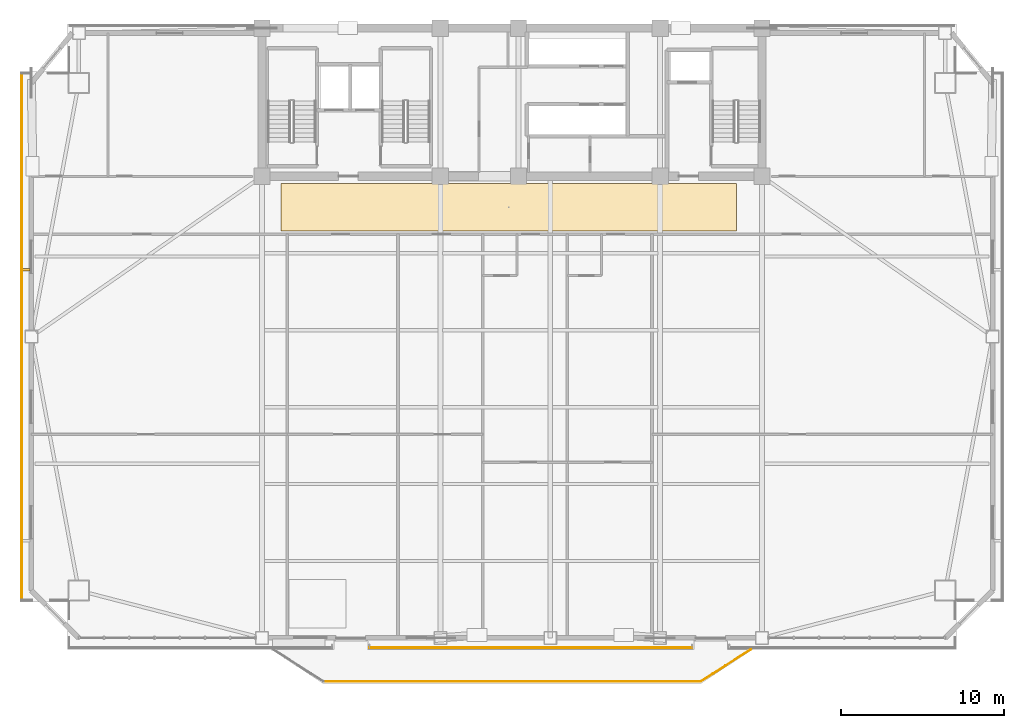
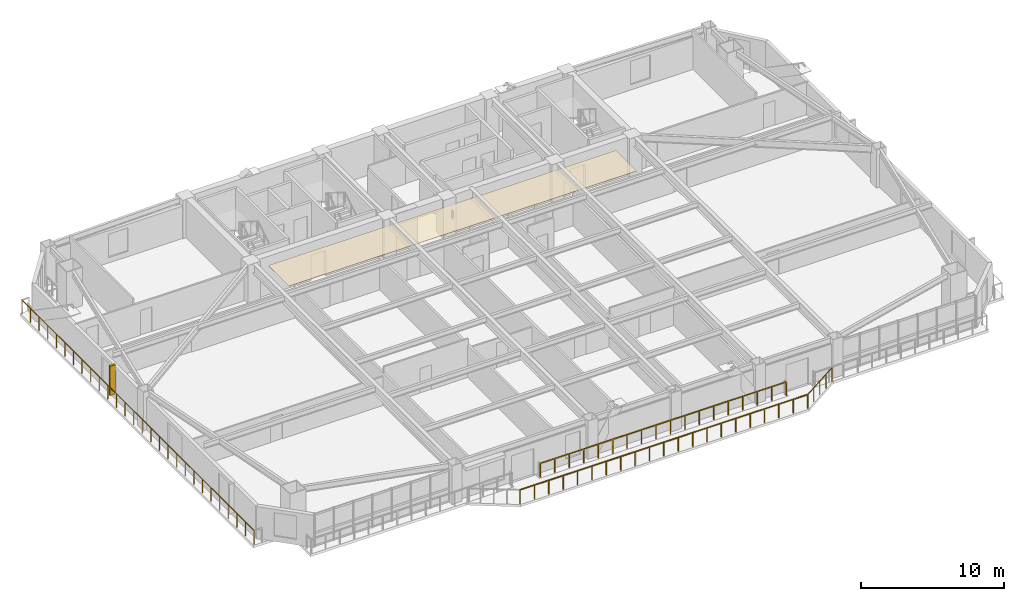
# One storey, part 13 of 16: 4 railings, 1 covering, 1 shading device.
"""IFC4 building model written with IfcOpenShell, lengths in metres."""

from ifc_helpers import new_model, si_unit, direction, frame, origin, origin_2d, place, context, subcontext, project, spatial, polyline, rectangle, outline, extrude, source, transform, mapped, material, layer, layer_set, type_object, element, save


model = new_model("IFC4")

# Units and contexts
model_context = context("Model", 3, precision=1e-05, world=origin(), true_north=direction((0.0, 1.0)))
body_context = subcontext(model_context, "Body", "Model", "MODEL_VIEW")
ifc_project = project(units=[si_unit("LENGTHUNIT", "METRE"), si_unit("AREAUNIT", "SQUARE_METRE"), si_unit("VOLUMEUNIT", "CUBIC_METRE"), si_unit("PLANEANGLEUNIT", "RADIAN"), si_unit("MASSUNIT", "GRAM", prefix="KILO")], contexts=[model_context])

# Site, building, storey
site_placement = place(None, origin())
site = spatial("IfcSite", under=ifc_project, at=site_placement, CompositionType="ELEMENT")
building_placement = place(site_placement, origin())
building = spatial("IfcBuilding", under=site, at=building_placement, Name="Giltprow Tower", CompositionType="ELEMENT")
storey_placement = place(building_placement, frame((0.0, 0.0, 159.699951171875)))
storey = spatial("IfcBuildingStorey", under=building, at=storey_placement, Name="L39", CompositionType="ELEMENT", Elevation=159.699951171875)

# Covering
ifc_material_1 = material(Name="Painted gypsum board", Category="gypsum")
ifc_layer = layer(ifc_material_1, 0.030029296875, Name="Painted gypsum board")
ifc_layer_set = layer_set([ifc_layer], Name="Painted gypsum board")
covering_type = type_object("IfcCoveringType", Name="COV-CLG-GYPSUM", PredefinedType="CEILING", material=ifc_layer_set)
covering_placement = place(storey_placement, frame((0.0, 0.0, 2.6201171875)))
element("IfcCovering", 1, at=covering_placement, inside=storey, type_object=covering_type, Name="L39 Hotel Corridor Gypsum Ceiling", PredefinedType="CEILING", context=body_context, shape_type="SweptSolid", body=[
    extrude(outline(polyline([(21.0, 34.10009765625), (49.0, 34.10009765625), (49.0, 37.0), (21.0, 37.0), (21.0, 34.10009765625)])), origin(), (0.0, 0.0, 1.0), 0.030029296875),
])

# Railings
ifc_material_2 = material(Name="Anodized bronze", Category="metal")
railing_type = type_object("IfcRailingType", Name="RAIL-BALC-GUARD-1200", PredefinedType="BALUSTRADE", material=ifc_material_2)
railing_1_placement = place(storey_placement, frame((23.6201171875, 6.41796875, 0.0)))
element("IfcRailing", 2, at=railing_1_placement, inside=storey, type_object=railing_type, Name="L39 Waterfront Balcony Balustrade Seg 2", PredefinedType="BALUSTRADE", context=body_context, shape_type="SweptSolid", body=[
    extrude(rectangle(XDim=0.048095703125, YDim=0.048095703125, at=origin_2d()), frame((0.0, 0.0, 1.17578125), z_axis=(1.0, 0.0, 0.0), x_axis=(0.0, 1.0, 0.0)), (0.0, 0.0, 1.0), 23.159912109375),
    extrude(rectangle(XDim=0.0419921875, YDim=0.0419921875, at=origin_2d()), origin(), (0.0, 0.0, 1.0), 1.15185546875),
    extrude(rectangle(XDim=0.0419921875, YDim=0.0419921875, at=origin_2d()), frame((1.157958984375, 0.0, 0.0)), (0.0, 0.0, 1.0), 1.15185546875),
    extrude(rectangle(XDim=0.0419921875, YDim=0.0419921875, at=origin_2d()), frame((2.31591796875, 0.0, 0.0)), (0.0, 0.0, 1.0), 1.15185546875),
    extrude(rectangle(XDim=0.0419921875, YDim=0.0419921875, at=origin_2d()), frame((3.473876953125, 0.0, 0.0)), (0.0, 0.0, 1.0), 1.15185546875),
    extrude(rectangle(XDim=0.0419921875, YDim=0.0419921875, at=origin_2d()), frame((4.632080078125, 0.0, 0.0)), (0.0, 0.0, 1.0), 1.15185546875),
    extrude(rectangle(XDim=0.0419921875, YDim=0.0419921875, at=origin_2d()), frame((5.7900390625, 0.0, 0.0)), (0.0, 0.0, 1.0), 1.15185546875),
    extrude(rectangle(XDim=0.0419921875, YDim=0.0419921875, at=origin_2d()), frame((6.947998046875, 0.0, 0.0)), (0.0, 0.0, 1.0), 1.15185546875),
    extrude(rectangle(XDim=0.0419921875, YDim=0.0419921875, at=origin_2d()), frame((8.10595703125, 0.0, 0.0)), (0.0, 0.0, 1.0), 1.15185546875),
    extrude(rectangle(XDim=0.0419921875, YDim=0.0419921875, at=origin_2d()), frame((9.263916015625, 0.0, 0.0)), (0.0, 0.0, 1.0), 1.15185546875),
    extrude(rectangle(XDim=0.0419921875, YDim=0.0419921875, at=origin_2d()), frame((10.421875, 0.0, 0.0)), (0.0, 0.0, 1.0), 1.15185546875),
    extrude(rectangle(XDim=0.0419921875, YDim=0.0419921875, at=origin_2d()), frame((11.580078125, 0.0, 0.0)), (0.0, 0.0, 1.0), 1.15185546875),
    extrude(rectangle(XDim=0.0419921875, YDim=0.0419921875, at=origin_2d()), frame((12.738037109375, 0.0, 0.0)), (0.0, 0.0, 1.0), 1.15185546875),
    extrude(rectangle(XDim=0.0419921875, YDim=0.0419921875, at=origin_2d()), frame((13.89599609375, 0.0, 0.0)), (0.0, 0.0, 1.0), 1.15185546875),
    extrude(rectangle(XDim=0.0419921875, YDim=0.0419921875, at=origin_2d()), frame((15.053955078125, 0.0, 0.0)), (0.0, 0.0, 1.0), 1.15185546875),
    extrude(rectangle(XDim=0.0419921875, YDim=0.0419921875, at=origin_2d()), frame((16.2119140625, 0.0, 0.0)), (0.0, 0.0, 1.0), 1.15185546875),
    extrude(rectangle(XDim=0.0419921875, YDim=0.0419921875, at=origin_2d()), frame((17.369873046875, 0.0, 0.0)), (0.0, 0.0, 1.0), 1.15185546875),
    extrude(rectangle(XDim=0.0419921875, YDim=0.0419921875, at=origin_2d()), frame((18.52783203125, 0.0, 0.0)), (0.0, 0.0, 1.0), 1.15185546875),
    extrude(rectangle(XDim=0.0419921875, YDim=0.0419921875, at=origin_2d()), frame((19.68603515625, 0.0, 0.0)), (0.0, 0.0, 1.0), 1.15185546875),
    extrude(rectangle(XDim=0.0419921875, YDim=0.0419921875, at=origin_2d()), frame((20.843994140625, 0.0, 0.0)), (0.0, 0.0, 1.0), 1.15185546875),
    extrude(rectangle(XDim=0.0419921875, YDim=0.0419921875, at=origin_2d()), frame((22.001953125, 0.0, 0.0)), (0.0, 0.0, 1.0), 1.15185546875),
    extrude(rectangle(XDim=0.0419921875, YDim=0.0419921875, at=origin_2d()), frame((23.159912109375, 0.0, 0.0)), (0.0, 0.0, 1.0), 1.15185546875),
])
railing_2_placement = place(storey_placement, frame((46.780029296875, 6.41796875, 0.0)))
element("IfcRailing", 3, at=railing_2_placement, inside=storey, type_object=railing_type, Name="L39 Waterfront Balcony Balustrade Seg 3", PredefinedType="BALUSTRADE", context=body_context, shape_type="SweptSolid", body=[
    extrude(rectangle(XDim=0.048095703125, YDim=0.048095703125, at=origin_2d()), frame((0.0, 0.0, 1.17578125), z_axis=(0.842755646126, 0.538296313309, 0.0), x_axis=(-0.538296313309, 0.842755646126, 0.0)), (0.0, 0.0, 1.0), 3.67822265625),
    extrude(rectangle(XDim=0.0419921875, YDim=0.0419921875, at=origin_2d()), origin(), (0.0, 0.0, 1.0), 1.15185546875),
    extrude(rectangle(XDim=0.0419921875, YDim=0.0419921875, at=origin_2d()), frame((0.77490234375, 0.4951171875, 0.0)), (0.0, 0.0, 1.0), 1.15185546875),
    extrude(rectangle(XDim=0.0419921875, YDim=0.0419921875, at=origin_2d()), frame((1.5498046875, 0.989990234375, 0.0)), (0.0, 0.0, 1.0), 1.15185546875),
    extrude(rectangle(XDim=0.0419921875, YDim=0.0419921875, at=origin_2d()), frame((2.324951171875, 1.48486328125, 0.0)), (0.0, 0.0, 1.0), 1.15185546875),
    extrude(rectangle(XDim=0.0419921875, YDim=0.0419921875, at=origin_2d()), frame((3.099853515625, 1.97998046875, 0.0)), (0.0, 0.0, 1.0), 1.15185546875),
])
railing_3_placement = place(storey_placement, frame((5.083984375, 11.410888671875, 0.0)))
element("IfcRailing", 4, at=railing_3_placement, inside=storey, type_object=railing_type, Name="L39 Corner Apron Edge Balustrade 5", PredefinedType="BALUSTRADE", context=body_context, shape_type="SweptSolid", body=[
    extrude(rectangle(XDim=0.048095703125, YDim=0.048095703125, at=origin_2d()), frame((0.0, 0.0, 1.17578125), z_axis=(0.0, 1.0, 0.0), x_axis=(-1.0, 0.0, 0.0)), (0.0, 0.0, 1.0), 32.376220703125),
    extrude(rectangle(XDim=0.0419921875, YDim=0.0419921875, at=origin_2d()), origin(), (0.0, 0.0, 1.0), 1.15185546875),
    extrude(rectangle(XDim=0.0419921875, YDim=0.0419921875, at=origin_2d()), frame((0.0, 1.19921875, 0.0)), (0.0, 0.0, 1.0), 1.15185546875),
    extrude(rectangle(XDim=0.0419921875, YDim=0.0419921875, at=origin_2d()), frame((0.0, 2.398193359375, 0.0)), (0.0, 0.0, 1.0), 1.15185546875),
    extrude(rectangle(XDim=0.0419921875, YDim=0.0419921875, at=origin_2d()), frame((0.0, 3.597412109375, 0.0)), (0.0, 0.0, 1.0), 1.15185546875),
    extrude(rectangle(XDim=0.0419921875, YDim=0.0419921875, at=origin_2d()), frame((0.0, 4.79638671875, 0.0)), (0.0, 0.0, 1.0), 1.15185546875),
    extrude(rectangle(XDim=0.0419921875, YDim=0.0419921875, at=origin_2d()), frame((0.0, 5.99560546875, 0.0)), (0.0, 0.0, 1.0), 1.15185546875),
    extrude(rectangle(XDim=0.0419921875, YDim=0.0419921875, at=origin_2d()), frame((0.0, 7.19482421875, 0.0)), (0.0, 0.0, 1.0), 1.15185546875),
    extrude(rectangle(XDim=0.0419921875, YDim=0.0419921875, at=origin_2d()), frame((0.0, 8.393798828125, 0.0)), (0.0, 0.0, 1.0), 1.15185546875),
    extrude(rectangle(XDim=0.0419921875, YDim=0.0419921875, at=origin_2d()), frame((0.0, 9.593017578125, 0.0)), (0.0, 0.0, 1.0), 1.15185546875),
    extrude(rectangle(XDim=0.0419921875, YDim=0.0419921875, at=origin_2d()), frame((0.0, 10.7919921875, 0.0)), (0.0, 0.0, 1.0), 1.15185546875),
    extrude(rectangle(XDim=0.0419921875, YDim=0.0419921875, at=origin_2d()), frame((0.0, 11.9912109375, 0.0)), (0.0, 0.0, 1.0), 1.15185546875),
    extrude(rectangle(XDim=0.0419921875, YDim=0.0419921875, at=origin_2d()), frame((0.0, 13.1904296875, 0.0)), (0.0, 0.0, 1.0), 1.15185546875),
    extrude(rectangle(XDim=0.0419921875, YDim=0.0419921875, at=origin_2d()), frame((0.0, 14.389404296875, 0.0)), (0.0, 0.0, 1.0), 1.15185546875),
    extrude(rectangle(XDim=0.0419921875, YDim=0.0419921875, at=origin_2d()), frame((0.0, 15.588623046875, 0.0)), (0.0, 0.0, 1.0), 1.15185546875),
    extrude(rectangle(XDim=0.0419921875, YDim=0.0419921875, at=origin_2d()), frame((0.0, 16.78759765625, 0.0)), (0.0, 0.0, 1.0), 1.15185546875),
    extrude(rectangle(XDim=0.0419921875, YDim=0.0419921875, at=origin_2d()), frame((0.0, 17.98681640625, 0.0)), (0.0, 0.0, 1.0), 1.15185546875),
    extrude(rectangle(XDim=0.0419921875, YDim=0.0419921875, at=origin_2d()), frame((0.0, 19.185791015625, 0.0)), (0.0, 0.0, 1.0), 1.15185546875),
    extrude(rectangle(XDim=0.0419921875, YDim=0.0419921875, at=origin_2d()), frame((0.0, 20.385009765625, 0.0)), (0.0, 0.0, 1.0), 1.15185546875),
    extrude(rectangle(XDim=0.0419921875, YDim=0.0419921875, at=origin_2d()), frame((0.0, 21.584228515625, 0.0)), (0.0, 0.0, 1.0), 1.15185546875),
    extrude(rectangle(XDim=0.0419921875, YDim=0.0419921875, at=origin_2d()), frame((0.0, 22.783203125, 0.0)), (0.0, 0.0, 1.0), 1.15185546875),
    extrude(rectangle(XDim=0.0419921875, YDim=0.0419921875, at=origin_2d()), frame((0.0, 23.982421875, 0.0)), (0.0, 0.0, 1.0), 1.15185546875),
    extrude(rectangle(XDim=0.0419921875, YDim=0.0419921875, at=origin_2d()), frame((0.0, 25.181396484375, 0.0)), (0.0, 0.0, 1.0), 1.15185546875),
    extrude(rectangle(XDim=0.0419921875, YDim=0.0419921875, at=origin_2d()), frame((0.0, 26.380615234375, 0.0)), (0.0, 0.0, 1.0), 1.15185546875),
    extrude(rectangle(XDim=0.0419921875, YDim=0.0419921875, at=origin_2d()), frame((0.0, 27.579833984375, 0.0)), (0.0, 0.0, 1.0), 1.15185546875),
    extrude(rectangle(XDim=0.0419921875, YDim=0.0419921875, at=origin_2d()), frame((0.0, 28.77880859375, 0.0)), (0.0, 0.0, 1.0), 1.15185546875),
    extrude(rectangle(XDim=0.0419921875, YDim=0.0419921875, at=origin_2d()), frame((0.0, 29.97802734375, 0.0)), (0.0, 0.0, 1.0), 1.15185546875),
    extrude(rectangle(XDim=0.0419921875, YDim=0.0419921875, at=origin_2d()), frame((0.0, 31.177001953125, 0.0)), (0.0, 0.0, 1.0), 1.15185546875),
    extrude(rectangle(XDim=0.0419921875, YDim=0.0419921875, at=origin_2d()), frame((0.0, 32.376220703125, 0.0)), (0.0, 0.0, 1.0), 1.15185546875),
])
railing_4_placement = place(storey_placement, frame((46.25, 8.498046875, 0.0)))
element("IfcRailing", 5, at=railing_4_placement, inside=storey, type_object=railing_type, Name="L39 Corner Apron Edge Balustrade 22", PredefinedType="BALUSTRADE", context=body_context, shape_type="SweptSolid", body=[
    extrude(rectangle(XDim=0.048095703125, YDim=0.048095703125, at=origin_2d()), frame((0.0, 0.0, 1.17578125), z_axis=(-1.0, 0.0, 0.0), x_axis=(0.0, -1.0, 0.0)), (0.0, 0.0, 1.0), 19.800048828125),
    extrude(rectangle(XDim=0.0419921875, YDim=0.0419921875, at=origin_2d()), origin(), (0.0, 0.0, 1.0), 1.15185546875),
    extrude(rectangle(XDim=0.0419921875, YDim=0.0419921875, at=origin_2d()), frame((-1.164794921875, 0.0, 0.0)), (0.0, 0.0, 1.0), 1.15185546875),
    extrude(rectangle(XDim=0.0419921875, YDim=0.0419921875, at=origin_2d()), frame((-2.329345703125, 0.0, 0.0)), (0.0, 0.0, 1.0), 1.15185546875),
    extrude(rectangle(XDim=0.0419921875, YDim=0.0419921875, at=origin_2d()), frame((-3.494140625, 0.0, 0.0)), (0.0, 0.0, 1.0), 1.15185546875),
    extrude(rectangle(XDim=0.0419921875, YDim=0.0419921875, at=origin_2d()), frame((-4.658935546875, 0.0, 0.0)), (0.0, 0.0, 1.0), 1.15185546875),
    extrude(rectangle(XDim=0.0419921875, YDim=0.0419921875, at=origin_2d()), frame((-5.823486328125, 0.0, 0.0)), (0.0, 0.0, 1.0), 1.15185546875),
    extrude(rectangle(XDim=0.0419921875, YDim=0.0419921875, at=origin_2d()), frame((-6.98828125, 0.0, 0.0)), (0.0, 0.0, 1.0), 1.15185546875),
    extrude(rectangle(XDim=0.0419921875, YDim=0.0419921875, at=origin_2d()), frame((-8.153076171875, 0.0, 0.0)), (0.0, 0.0, 1.0), 1.15185546875),
    extrude(rectangle(XDim=0.0419921875, YDim=0.0419921875, at=origin_2d()), frame((-9.317626953125, 0.0, 0.0)), (0.0, 0.0, 1.0), 1.15185546875),
    extrude(rectangle(XDim=0.0419921875, YDim=0.0419921875, at=origin_2d()), frame((-10.482421875, 0.0, 0.0)), (0.0, 0.0, 1.0), 1.15185546875),
    extrude(rectangle(XDim=0.0419921875, YDim=0.0419921875, at=origin_2d()), frame((-11.64697265625, 0.0, 0.0)), (0.0, 0.0, 1.0), 1.15185546875),
    extrude(rectangle(XDim=0.0419921875, YDim=0.0419921875, at=origin_2d()), frame((-12.811767578125, 0.0, 0.0)), (0.0, 0.0, 1.0), 1.15185546875),
    extrude(rectangle(XDim=0.0419921875, YDim=0.0419921875, at=origin_2d()), frame((-13.9765625, 0.0, 0.0)), (0.0, 0.0, 1.0), 1.15185546875),
    extrude(rectangle(XDim=0.0419921875, YDim=0.0419921875, at=origin_2d()), frame((-15.14111328125, 0.0, 0.0)), (0.0, 0.0, 1.0), 1.15185546875),
    extrude(rectangle(XDim=0.0419921875, YDim=0.0419921875, at=origin_2d()), frame((-16.305908203125, 0.0, 0.0)), (0.0, 0.0, 1.0), 1.15185546875),
    extrude(rectangle(XDim=0.0419921875, YDim=0.0419921875, at=origin_2d()), frame((-17.470703125, 0.0, 0.0)), (0.0, 0.0, 1.0), 1.15185546875),
    extrude(rectangle(XDim=0.0419921875, YDim=0.0419921875, at=origin_2d()), frame((-18.63525390625, 0.0, 0.0)), (0.0, 0.0, 1.0), 1.15185546875),
    extrude(rectangle(XDim=0.0419921875, YDim=0.0419921875, at=origin_2d()), frame((-19.800048828125, 0.0, 0.0)), (0.0, 0.0, 1.0), 1.15185546875),
])

# Shading device
shading_device_type = type_object("IfcShadingDeviceType", Name="SHD-FIN-420", PredefinedType="USERDEFINED", material=ifc_material_2)
shared_shape = source(origin(), body_context, "Body", "SweptSolid", [
    extrude(rectangle(XDim=0.419921875, YDim=0.159912109375, at=origin_2d()), origin(), (0.0, 0.0, 1.0), 2.5),
])
shading_device_placement = place(storey_placement, frame((5.384033203125, 31.718994140625, 0.35009765625), z_axis=(0.0, 0.0, 1.0), x_axis=(1.0, 0.0, 0.0)))
element("IfcShadingDevice", 6, at=shading_device_placement, inside=storey, type_object=shading_device_type, Name="L39 W Bronze Vertical Fin 2-1", ObjectType="FIN", PredefinedType="USERDEFINED", context=body_context, shape_type="MappedRepresentation", body=[
    mapped(shared_shape, transform((0.0, 0.0, 0.0), x_axis=(1.0, 0.0, 0.0), y_axis=(0.0, 1.0, 0.0), z_axis=(0.0, 0.0, 1.0), scale=1.0)),
])

save(model, "model.ifc")
